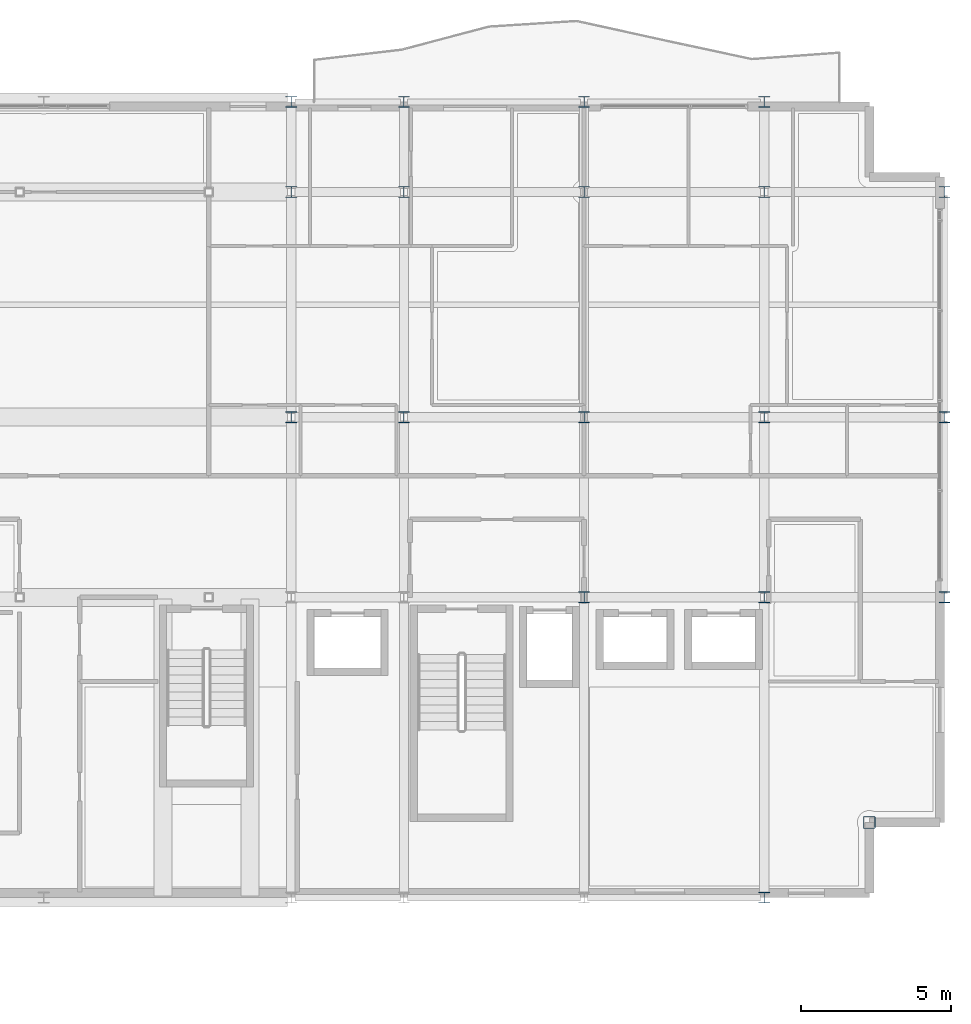
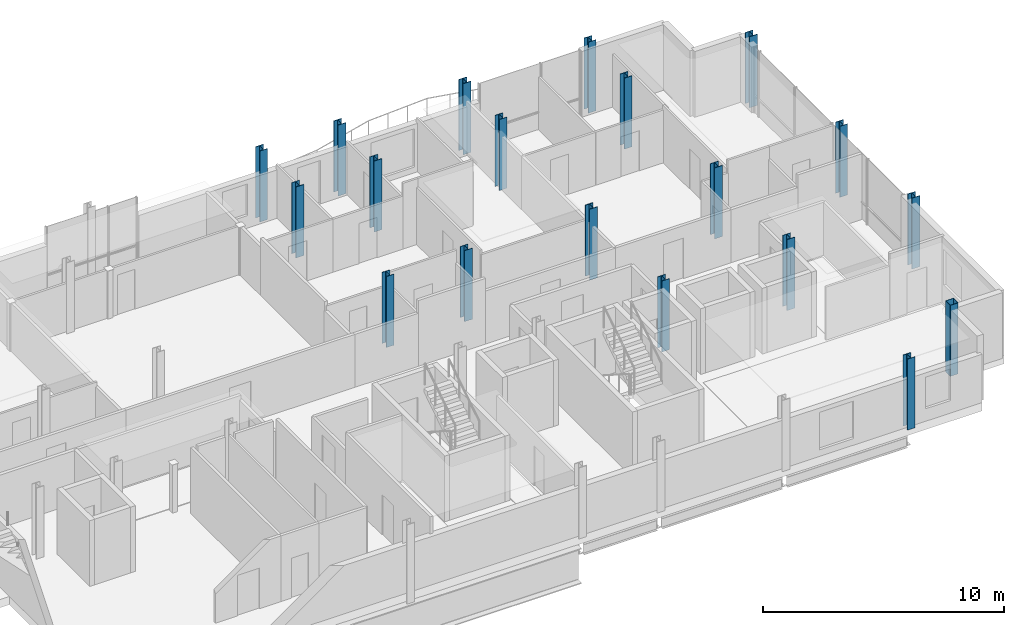
# One storey, part 2 of 35: 19 columns.
"""IFC4 building model written with IfcOpenShell, lengths in metres."""

import ifcopenshell
import ifcopenshell.guid

model = None  # the IFC model being written
_history = None  # IfcOwnerHistory: only IFC2X3 demands one
_inside = {}  # id of a spatial element -> (the spatial element, [elements in it])
_under = {}  # id of a project, library or spatial element -> (it, [spatial elements below it])
_declared = {}  # id of a project -> (the project, [libraries it declares])
_typed = {}  # id of a type object -> (the type object, [elements of that type])
_made_of = {}  # id of a material, layer set ... -> (it, [elements and type objects made of it])


def new_model(schema):
    """Start an empty IFC model of exactly this schema.

    Asked for "IFC4X3", IfcOpenShell would pick the latest addendum, in which some entities
    have other attributes; the version numbers below select the first issue.
    IFC2X3 requires an IfcOwnerHistory on every rooted entity: one is made here for all.
    """
    global model, _history
    if schema == "IFC4X3":
        model = ifcopenshell.file(schema_version=(4, 3, 0, 0))
    else:
        model = ifcopenshell.file(schema=schema)
    _inside.clear()
    _under.clear()
    _declared.clear()
    _typed.clear()
    _made_of.clear()
    _history = None
    if model.schema == "IFC2X3":
        org = make("IfcOrganization", Name="unknown")
        user = make(
            "IfcPersonAndOrganization",
            ThePerson=make("IfcPerson", FamilyName="unknown"),
            TheOrganization=org,
        )
        app = make(
            "IfcApplication",
            ApplicationDeveloper=org,
            Version="unknown",
            ApplicationFullName="unknown",
            ApplicationIdentifier="unknown",
        )
        _history = make(
            "IfcOwnerHistory",
            OwningUser=user,
            OwningApplication=app,
            ChangeAction="ADDED",
            CreationDate=0,
        )
    return model


def make(cls, **values):
    """One entity of the class cls with the attributes given. An attribute that is None is left unset."""
    return model.create_entity(
        cls, **{name: value for name, value in values.items() if value is not None}
    )


def rooted(cls, **values):
    """An entity with a GlobalId (a new one), such as an element, a storey or a relation."""
    return make(cls, GlobalId=ifcopenshell.guid.new(), OwnerHistory=_history, **values)


def si_unit(unit_type, name, prefix=None):
    """IfcSIUnit, for example si_unit("LENGTHUNIT", "METRE", prefix="MILLI")."""
    return make("IfcSIUnit", UnitType=unit_type, Prefix=prefix, Name=name)


def assignment(units):
    """IfcUnitAssignment: the units of a project."""
    return None if units is None else make("IfcUnitAssignment", Units=units)


def point(xyz):
    """IfcCartesianPoint."""
    return None if xyz is None else make("IfcCartesianPoint", Coordinates=xyz)


def direction(xyz):
    """IfcDirection."""
    return None if xyz is None else make("IfcDirection", DirectionRatios=xyz)


def frame(location, z_axis=None, x_axis=None):
    """IfcAxis2Placement3D, a coordinate frame: its origin and axes. An axis left out is left unset."""
    return make(
        "IfcAxis2Placement3D",
        Location=point(location),
        Axis=direction(z_axis),
        RefDirection=direction(x_axis),
    )


def frame_2d(location, x_axis=None):
    """IfcAxis2Placement2D, a coordinate frame in the plane: its origin and x axis."""
    return make(
        "IfcAxis2Placement2D", Location=point(location), RefDirection=direction(x_axis)
    )


def origin():
    """The frame at (0, 0, 0) with its axes left unset."""
    return frame((0.0, 0.0, 0.0))


def origin_2d():
    """The frame at (0, 0) in the plane with its x axis left unset."""
    return frame_2d((0.0, 0.0))


def place(relative_to, where):
    """IfcLocalPlacement: puts the frame where relative to a parent placement (None: the world)."""
    return make(
        "IfcLocalPlacement", PlacementRelTo=relative_to, RelativePlacement=where
    )


def context(
    kind, dimensions, precision=None, world=None, true_north=None, identifier=None
):
    """IfcGeometricRepresentationContext, for example the 3D "Model" context."""
    return make(
        "IfcGeometricRepresentationContext",
        ContextIdentifier=identifier,
        ContextType=kind,
        CoordinateSpaceDimension=dimensions,
        Precision=precision,
        WorldCoordinateSystem=world,
        TrueNorth=true_north,
    )


def subcontext(parent, identifier, kind, view, scale=None):
    """IfcGeometricRepresentationSubContext, for example "Body" below "Model"."""
    return make(
        "IfcGeometricRepresentationSubContext",
        ContextIdentifier=identifier,
        ContextType=kind,
        ParentContext=parent,
        TargetScale=scale,
        TargetView=view,
    )


def project(units=None, contexts=None):
    """IfcProject with its units and contexts."""
    return rooted(
        "IfcProject",
        Name="project",
        RepresentationContexts=contexts,
        UnitsInContext=assignment(units),
    )


def spatial(cls, under=None, at=None, **own):
    """A site, building, storey or space (cls), placed at a placement, below another one or the project."""
    s = rooted(cls, ObjectPlacement=at, **own)
    if under is not None:
        _under.setdefault(under.id(), (under, []))[1].append(s)
    return s


def profile(cls, at=None, kind="AREA", **sizes):
    """A parametric profile (cls). Its sizes go by their IFC names, for example OverallWidth=200.0."""
    return make(cls, ProfileType=kind, Position=at, **sizes)


def hollow_rectangle(**sizes):
    """IfcRectangleHollowProfileDef."""
    return profile("IfcRectangleHollowProfileDef", **sizes)


def i_section(**sizes):
    """IfcIShapeProfileDef."""
    return profile("IfcIShapeProfileDef", **sizes)


def extrude(swept, where, along, depth):
    """IfcExtrudedAreaSolid: the profile swept, set in the frame where, extruded along a direction by depth."""
    return make(
        "IfcExtrudedAreaSolid",
        SweptArea=swept,
        Position=where,
        ExtrudedDirection=direction(along),
        Depth=depth,
    )


def shape(context_of_items, identifier, shape_type, items):
    """IfcShapeRepresentation: the items that make up one representation, for example the "Body"."""
    return make(
        "IfcShapeRepresentation",
        ContextOfItems=context_of_items,
        RepresentationIdentifier=identifier,
        RepresentationType=shape_type,
        Items=items,
    )


def material(Name=None, Category=None):
    """IfcMaterial."""
    return make("IfcMaterial", Name=Name, Category=Category)


def material_profile(
    of_material, cross_section, Name=None, Category=None, Priority=None
):
    """IfcMaterialProfile: a cross section and its material."""
    return make(
        "IfcMaterialProfile",
        Name=Name,
        Material=of_material,
        Profile=cross_section,
        Priority=Priority,
        Category=Category,
    )


def profile_set(profiles, Name=None, composite=None):
    """IfcMaterialProfileSet."""
    return make(
        "IfcMaterialProfileSet",
        Name=Name,
        MaterialProfiles=profiles,
        CompositeProfile=composite,
    )


def made_of(thing, what):
    """Note that an element or type object is made of a material, layer set ...; save() writes the relation."""
    if what is not None:
        _made_of.setdefault(what.id(), (what, []))[1].append(thing)
    return thing


def type_object(cls, material=None, **own):
    """A type object (cls), such as IfcWallType, which elements share."""
    return made_of(rooted(cls, **own), material)


def element(
    cls,
    number,
    at=None,
    inside=None,
    cuts=None,
    type_object=None,
    material=None,
    context=None,
    identifier="Body",
    shape_type=None,
    held_by="IfcProductDefinitionShape",
    body=None,
    shapes=None,
    **own,
):
    """One element of the class cls, such as IfcWall. Its Tag is "e" and its number.

    at: its placement. inside: the storey or other place that contains it. cuts: it is an
    opening in that element (IfcRelVoidsElement). A single representation is given by context,
    identifier, shape_type and body (its items); several are given by shapes. held_by: the class
    of the entity that holds the representations. save() writes the other relations.
    """
    e = rooted(cls, Tag="e%d" % number, ObjectPlacement=at, **own)
    if body is not None:
        shapes = [shape(context, identifier, shape_type, body)]
    if shapes is not None:
        e.Representation = make(held_by, Representations=shapes)
    if inside is not None:
        _inside.setdefault(inside.id(), (inside, []))[1].append(e)
    if cuts is not None:
        rooted(
            "IfcRelVoidsElement", RelatingBuildingElement=cuts, RelatedOpeningElement=e
        )
    if type_object is not None:
        _typed.setdefault(type_object.id(), (type_object, []))[1].append(e)
    return made_of(e, material)


def aggregate(whole, parts):
    """IfcRelAggregates: a whole, such as a stair, and the parts it consists of."""
    return rooted("IfcRelAggregates", RelatingObject=whole, RelatedObjects=parts)


def save(model, path):
    """Write the relations noted so far, then the file.

    IfcRelAggregates (storeys below a building ...), IfcRelContainedInSpatialStructure (elements
    in a storey), IfcRelDefinesByType, IfcRelAssociatesMaterial and IfcRelDeclares: one each for
    every whole, place, type object, material and project.
    """
    for whole, parts in _under.values():
        aggregate(whole, parts)
    for where, things in _inside.values():
        rooted(
            "IfcRelContainedInSpatialStructure",
            RelatedElements=things,
            RelatingStructure=where,
        )
    for kind, things in _typed.values():
        rooted("IfcRelDefinesByType", RelatedObjects=things, RelatingType=kind)
    for what, things in _made_of.values():
        rooted("IfcRelAssociatesMaterial", RelatedObjects=things, RelatingMaterial=what)
    for by, libraries in _declared.values():
        rooted("IfcRelDeclares", RelatingContext=by, RelatedDefinitions=libraries)
    model.write(path)


model = new_model("IFC4")

# Units and contexts
model_context = context("Model", 3, precision=1e-05, world=origin(), true_north=direction((0.0, 1.0)))
body_context = subcontext(model_context, "Body", "Model", "MODEL_VIEW")
ifc_project = project(units=[si_unit("LENGTHUNIT", "METRE"), si_unit("AREAUNIT", "SQUARE_METRE"), si_unit("VOLUMEUNIT", "CUBIC_METRE"), si_unit("PLANEANGLEUNIT", "RADIAN"), si_unit("MASSUNIT", "GRAM", prefix="KILO")], contexts=[model_context])

# Site, building, storey
site_placement = place(None, origin())
site = spatial("IfcSite", under=ifc_project, at=site_placement, CompositionType="ELEMENT")
building_placement = place(site_placement, origin())
building = spatial("IfcBuilding", under=site, at=building_placement, Name="Brevholm Reach", CompositionType="ELEMENT")
storey_placement = place(building_placement, frame((0.0, 0.0, 214.39990234375)))
storey = spatial("IfcBuildingStorey", under=building, at=storey_placement, Name="L65", CompositionType="ELEMENT", Elevation=214.39990234375)

# Columns
ifc_material_1 = material(Name="Structural Steel S460NH", Category="steel")
ifc_material_profile_1 = material_profile(ifc_material_1, hollow_rectangle(XDim=0.39990234375, YDim=0.39990234375, WallThickness=0.02001953125, InnerFilletRadius=0.011962890625, OuterFilletRadius=0.02392578125, at=origin_2d()), Name="SHS 400x400x20")
ifc_profile_set_1 = profile_set([ifc_material_profile_1], Name="Structural Steel S460NH")
column_type_1 = type_object("IfcColumnType", Name="COL-SHS2", PredefinedType="COLUMN", material=ifc_profile_set_1)
column_placement = place(storey_placement, frame((57.5, 2.5, 0.0), z_axis=(0.0, 0.0, 1.0), x_axis=(1.0, 0.0, 0.0)))
element("IfcColumn", 1, at=column_placement, inside=storey, type_object=column_type_1, Name="L65 Column 50", PredefinedType="COLUMN", context=body_context, shape_type="SweptSolid", body=[
    extrude(hollow_rectangle(XDim=0.39990234375, YDim=0.39990234375, WallThickness=0.02001953125, InnerFilletRadius=0.011962890625, OuterFilletRadius=0.02392578125, at=origin_2d()), origin(), (0.0, 0.0, 1.0), 3.60009765625),
])
ifc_material_2 = material(Name="Structural Steel S355J2", Category="steel")
ifc_material_profile_2 = material_profile(ifc_material_2, i_section(OverallWidth=0.374755859375, OverallDepth=0.37451171875, WebThickness=0.0166015625, FlangeThickness=0.027099609375, FilletRadius=0.01513671875, at=origin_2d()), Name="UKC 356x368x202")
ifc_profile_set_2 = profile_set([ifc_material_profile_2], Name="Structural Steel S355J2")
column_type_2 = type_object("IfcColumnType", Name="COL-UC6", PredefinedType="COLUMN", material=ifc_profile_set_2)
for number, where, z_axis, x_axis, name in (
    (2, (38.25, 16.0, 0.0), (0.0, 0.0, 1.0), (1.0, 0.0, 0.0), "L65 Column 32"),
    (3, (38.25, 23.5, 0.0), (0.0, 0.0, 1.0), (1.0, 0.0, 0.0), "L65 Column 33"),
    (4, (38.25, 26.5, 0.0), (0.0, 0.0, 1.0), (1.0, 0.0, 0.0), "L65 Column 34"),
    (5, (42.0, 16.0, 0.0), (0.0, 0.0, 1.0), (1.0, 0.0, 0.0), "L65 Column 37"),
    (6, (42.0, 23.5, 0.0), (0.0, 0.0, 1.0), (1.0, 0.0, 0.0), "L65 Column 38"),
    (7, (42.0, 26.5, 0.0), (0.0, 0.0, 1.0), (1.0, 0.0, 0.0), "L65 Column 39"),
    (8, (48.0, 10.0, 0.0), (0.0, 0.0, 1.0), (1.0, 0.0, 0.0), "L65 Column 41"),
    (9, (48.0, 16.0, 0.0), (0.0, 0.0, 1.0), (1.0, 0.0, 0.0), "L65 Column 42"),
    (10, (48.0, 23.5, 0.0), (0.0, 0.0, 1.0), (1.0, 0.0, 0.0), "L65 Column 43"),
    (11, (48.0, 26.5, 0.0), (0.0, 0.0, 1.0), (1.0, 0.0, 0.0), "L65 Column 44"),
    (12, (54.0, 0.0, 0.0), (0.0, 0.0, 1.0), (1.0, 0.0, 0.0), "L65 Column 45"),
    (13, (54.0, 10.0, 0.0), (0.0, 0.0, 1.0), (1.0, 0.0, 0.0), "L65 Column 46"),
    (14, (54.0, 16.0, 0.0), (0.0, 0.0, 1.0), (1.0, 0.0, 0.0), "L65 Column 47"),
    (15, (54.0, 23.5, 0.0), (0.0, 0.0, 1.0), (1.0, 0.0, 0.0), "L65 Column 48"),
    (16, (54.0, 26.5, 0.0), (0.0, 0.0, 1.0), (1.0, 0.0, 0.0), "L65 Column 49"),
    (17, (60.0, 10.0, 0.0), (0.0, 0.0, 1.0), (1.0, 0.0, 0.0), "L65 Column 51"),
    (18, (60.0, 16.0, 0.0), (0.0, 0.0, 1.0), (1.0, 0.0, 0.0), "L65 Column 52"),
    (19, (60.0, 23.5, 0.0), (0.0, 0.0, 1.0), (1.0, 0.0, 0.0), "L65 Column 53"),
):
    element("IfcColumn", number, at=place(storey_placement, frame(where, z_axis=z_axis, x_axis=x_axis)), inside=storey, type_object=column_type_2, Name=name, PredefinedType="COLUMN", context=body_context, shape_type="SweptSolid", body=[
        extrude(i_section(OverallWidth=0.374755859375, OverallDepth=0.37451171875, WebThickness=0.0166015625, FlangeThickness=0.027099609375, FilletRadius=0.01513671875, at=origin_2d()), origin(), (0.0, 0.0, 1.0), 3.60009765625),
    ])

save(model, "model.ifc")
